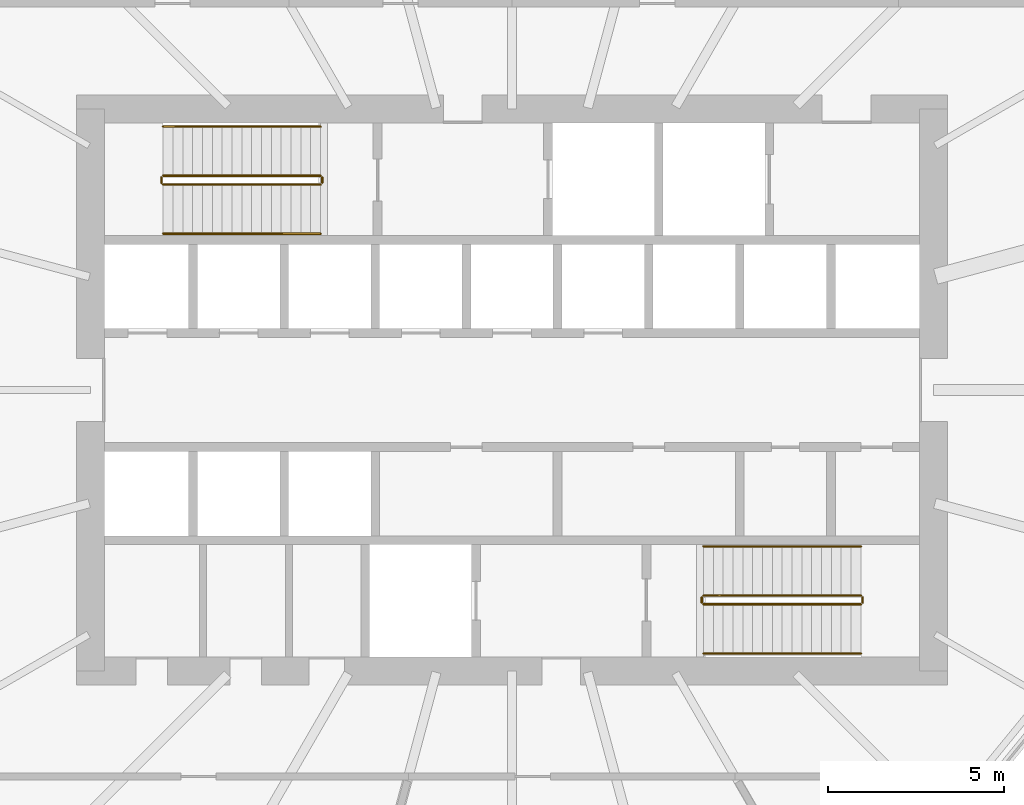
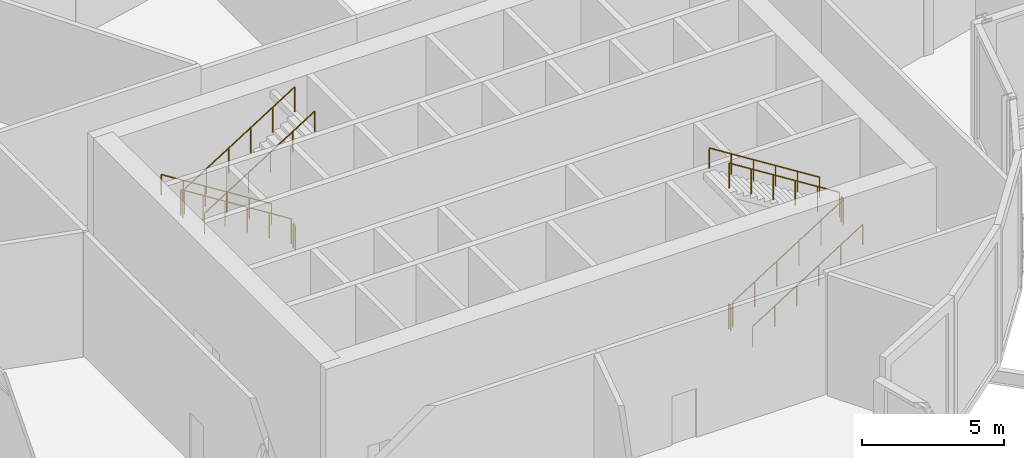
# One storey, part 33 of 33: 12 railings.
"""IFC4 building model written with IfcOpenShell, lengths in metres."""

import ifcopenshell
import ifcopenshell.guid

model = None  # the IFC model being written
_history = None  # IfcOwnerHistory: only IFC2X3 demands one
_inside = {}  # id of a spatial element -> (the spatial element, [elements in it])
_under = {}  # id of a project, library or spatial element -> (it, [spatial elements below it])
_declared = {}  # id of a project -> (the project, [libraries it declares])
_typed = {}  # id of a type object -> (the type object, [elements of that type])
_made_of = {}  # id of a material, layer set ... -> (it, [elements and type objects made of it])


def new_model(schema):
    """Start an empty IFC model of exactly this schema.

    Asked for "IFC4X3", IfcOpenShell would pick the latest addendum, in which some entities
    have other attributes; the version numbers below select the first issue.
    IFC2X3 requires an IfcOwnerHistory on every rooted entity: one is made here for all.
    """
    global model, _history
    if schema == "IFC4X3":
        model = ifcopenshell.file(schema_version=(4, 3, 0, 0))
    else:
        model = ifcopenshell.file(schema=schema)
    _inside.clear()
    _under.clear()
    _declared.clear()
    _typed.clear()
    _made_of.clear()
    _history = None
    if model.schema == "IFC2X3":
        org = make("IfcOrganization", Name="unknown")
        user = make(
            "IfcPersonAndOrganization",
            ThePerson=make("IfcPerson", FamilyName="unknown"),
            TheOrganization=org,
        )
        app = make(
            "IfcApplication",
            ApplicationDeveloper=org,
            Version="unknown",
            ApplicationFullName="unknown",
            ApplicationIdentifier="unknown",
        )
        _history = make(
            "IfcOwnerHistory",
            OwningUser=user,
            OwningApplication=app,
            ChangeAction="ADDED",
            CreationDate=0,
        )
    return model


def make(cls, **values):
    """One entity of the class cls with the attributes given. An attribute that is None is left unset."""
    return model.create_entity(
        cls, **{name: value for name, value in values.items() if value is not None}
    )


def rooted(cls, **values):
    """An entity with a GlobalId (a new one), such as an element, a storey or a relation."""
    return make(cls, GlobalId=ifcopenshell.guid.new(), OwnerHistory=_history, **values)


def si_unit(unit_type, name, prefix=None):
    """IfcSIUnit, for example si_unit("LENGTHUNIT", "METRE", prefix="MILLI")."""
    return make("IfcSIUnit", UnitType=unit_type, Prefix=prefix, Name=name)


def assignment(units):
    """IfcUnitAssignment: the units of a project."""
    return None if units is None else make("IfcUnitAssignment", Units=units)


def point(xyz):
    """IfcCartesianPoint."""
    return None if xyz is None else make("IfcCartesianPoint", Coordinates=xyz)


def direction(xyz):
    """IfcDirection."""
    return None if xyz is None else make("IfcDirection", DirectionRatios=xyz)


def frame(location, z_axis=None, x_axis=None):
    """IfcAxis2Placement3D, a coordinate frame: its origin and axes. An axis left out is left unset."""
    return make(
        "IfcAxis2Placement3D",
        Location=point(location),
        Axis=direction(z_axis),
        RefDirection=direction(x_axis),
    )


def frame_2d(location, x_axis=None):
    """IfcAxis2Placement2D, a coordinate frame in the plane: its origin and x axis."""
    return make(
        "IfcAxis2Placement2D", Location=point(location), RefDirection=direction(x_axis)
    )


def origin():
    """The frame at (0, 0, 0) with its axes left unset."""
    return frame((0.0, 0.0, 0.0))


def origin_2d():
    """The frame at (0, 0) in the plane with its x axis left unset."""
    return frame_2d((0.0, 0.0))


def place(relative_to, where):
    """IfcLocalPlacement: puts the frame where relative to a parent placement (None: the world)."""
    return make(
        "IfcLocalPlacement", PlacementRelTo=relative_to, RelativePlacement=where
    )


def context(
    kind, dimensions, precision=None, world=None, true_north=None, identifier=None
):
    """IfcGeometricRepresentationContext, for example the 3D "Model" context."""
    return make(
        "IfcGeometricRepresentationContext",
        ContextIdentifier=identifier,
        ContextType=kind,
        CoordinateSpaceDimension=dimensions,
        Precision=precision,
        WorldCoordinateSystem=world,
        TrueNorth=true_north,
    )


def subcontext(parent, identifier, kind, view, scale=None):
    """IfcGeometricRepresentationSubContext, for example "Body" below "Model"."""
    return make(
        "IfcGeometricRepresentationSubContext",
        ContextIdentifier=identifier,
        ContextType=kind,
        ParentContext=parent,
        TargetScale=scale,
        TargetView=view,
    )


def project(units=None, contexts=None):
    """IfcProject with its units and contexts."""
    return rooted(
        "IfcProject",
        Name="project",
        RepresentationContexts=contexts,
        UnitsInContext=assignment(units),
    )


def spatial(cls, under=None, at=None, **own):
    """A site, building, storey or space (cls), placed at a placement, below another one or the project."""
    s = rooted(cls, ObjectPlacement=at, **own)
    if under is not None:
        _under.setdefault(under.id(), (under, []))[1].append(s)
    return s


def profile(cls, at=None, kind="AREA", **sizes):
    """A parametric profile (cls). Its sizes go by their IFC names, for example OverallWidth=200.0."""
    return make(cls, ProfileType=kind, Position=at, **sizes)


def circle(**sizes):
    """IfcCircleProfileDef."""
    return profile("IfcCircleProfileDef", **sizes)


def extrude(swept, where, along, depth):
    """IfcExtrudedAreaSolid: the profile swept, set in the frame where, extruded along a direction by depth."""
    return make(
        "IfcExtrudedAreaSolid",
        SweptArea=swept,
        Position=where,
        ExtrudedDirection=direction(along),
        Depth=depth,
    )


def shape(context_of_items, identifier, shape_type, items):
    """IfcShapeRepresentation: the items that make up one representation, for example the "Body"."""
    return make(
        "IfcShapeRepresentation",
        ContextOfItems=context_of_items,
        RepresentationIdentifier=identifier,
        RepresentationType=shape_type,
        Items=items,
    )


def material(Name=None, Category=None):
    """IfcMaterial."""
    return make("IfcMaterial", Name=Name, Category=Category)


def made_of(thing, what):
    """Note that an element or type object is made of a material, layer set ...; save() writes the relation."""
    if what is not None:
        _made_of.setdefault(what.id(), (what, []))[1].append(thing)
    return thing


def type_object(cls, material=None, **own):
    """A type object (cls), such as IfcWallType, which elements share."""
    return made_of(rooted(cls, **own), material)


def element(
    cls,
    number,
    at=None,
    inside=None,
    cuts=None,
    type_object=None,
    material=None,
    context=None,
    identifier="Body",
    shape_type=None,
    held_by="IfcProductDefinitionShape",
    body=None,
    shapes=None,
    **own,
):
    """One element of the class cls, such as IfcWall. Its Tag is "e" and its number.

    at: its placement. inside: the storey or other place that contains it. cuts: it is an
    opening in that element (IfcRelVoidsElement). A single representation is given by context,
    identifier, shape_type and body (its items); several are given by shapes. held_by: the class
    of the entity that holds the representations. save() writes the other relations.
    """
    e = rooted(cls, Tag="e%d" % number, ObjectPlacement=at, **own)
    if body is not None:
        shapes = [shape(context, identifier, shape_type, body)]
    if shapes is not None:
        e.Representation = make(held_by, Representations=shapes)
    if inside is not None:
        _inside.setdefault(inside.id(), (inside, []))[1].append(e)
    if cuts is not None:
        rooted(
            "IfcRelVoidsElement", RelatingBuildingElement=cuts, RelatedOpeningElement=e
        )
    if type_object is not None:
        _typed.setdefault(type_object.id(), (type_object, []))[1].append(e)
    return made_of(e, material)


def aggregate(whole, parts):
    """IfcRelAggregates: a whole, such as a stair, and the parts it consists of."""
    return rooted("IfcRelAggregates", RelatingObject=whole, RelatedObjects=parts)


def save(model, path):
    """Write the relations noted so far, then the file.

    IfcRelAggregates (storeys below a building ...), IfcRelContainedInSpatialStructure (elements
    in a storey), IfcRelDefinesByType, IfcRelAssociatesMaterial and IfcRelDeclares: one each for
    every whole, place, type object, material and project.
    """
    for whole, parts in _under.values():
        aggregate(whole, parts)
    for where, things in _inside.values():
        rooted(
            "IfcRelContainedInSpatialStructure",
            RelatedElements=things,
            RelatingStructure=where,
        )
    for kind, things in _typed.values():
        rooted("IfcRelDefinesByType", RelatedObjects=things, RelatingType=kind)
    for what, things in _made_of.values():
        rooted("IfcRelAssociatesMaterial", RelatedObjects=things, RelatingMaterial=what)
    for by, libraries in _declared.values():
        rooted("IfcRelDeclares", RelatingContext=by, RelatedDefinitions=libraries)
    model.write(path)


model = new_model("IFC4")

# Units and contexts
model_context = context("Model", 3, precision=1e-05, world=origin(), true_north=direction((0.0, 1.0)))
body_context = subcontext(model_context, "Body", "Model", "MODEL_VIEW")
ifc_project = project(units=[si_unit("LENGTHUNIT", "METRE"), si_unit("AREAUNIT", "SQUARE_METRE"), si_unit("VOLUMEUNIT", "CUBIC_METRE"), si_unit("PLANEANGLEUNIT", "RADIAN"), si_unit("MASSUNIT", "GRAM", prefix="KILO")], contexts=[model_context])

# Site, building, storey
site_placement = place(None, origin())
site = spatial("IfcSite", under=ifc_project, at=site_placement, CompositionType="ELEMENT")
building_placement = place(site_placement, origin())
building = spatial("IfcBuilding", under=site, at=building_placement, Name="Rimbun Link Towers", CompositionType="ELEMENT")
storey_placement = place(building_placement, frame((0.0, 0.0, 75.60009765625)))
storey = spatial("IfcBuildingStorey", under=building, at=storey_placement, Name="L18", CompositionType="ELEMENT", Elevation=75.60009765625)

# Railings
ifc_material_1 = material(Name="Stainless steel grade 316", Category="steel")
railing_type_1 = type_object("IfcRailingType", Name="Stair guard", PredefinedType="GUARDRAIL", material=ifc_material_1)
railing_1_placement = place(storey_placement, frame((26.300048828125, 6.10009765625, 0.17626953125)))
element("IfcRailing", 1, at=railing_1_placement, inside=storey, type_object=railing_type_1, Name="L18 ST3 stair guard 1", PredefinedType="GUARDRAIL", context=body_context, shape_type="SweptSolid", body=[
    extrude(circle(Radius=0.02392578125, at=origin_2d()), frame((0.0, 0.0, 1.076171875), z_axis=(-0.845977142166, 0.0, 0.533219162196), x_axis=(0.0, -1.0, 0.0)), (0.0, 0.0, 1.0), 5.295654296875),
    extrude(circle(Radius=0.02099609375, at=origin_2d()), origin(), (0.0, 0.0, 1.0), 1.052001953125),
    extrude(circle(Radius=0.02099609375, at=origin_2d()), frame((-0.89599609375, 0.0, 0.564697265625)), (0.0, 0.0, 1.0), 1.052001953125),
    extrude(circle(Radius=0.02099609375, at=origin_2d()), frame((-1.7919921875, 0.0, 1.12939453125)), (0.0, 0.0, 1.0), 1.052001953125),
    extrude(circle(Radius=0.02099609375, at=origin_2d()), frame((-2.68798828125, 0.0, 1.6943359375)), (0.0, 0.0, 1.0), 1.052001953125),
    extrude(circle(Radius=0.02099609375, at=origin_2d()), frame((-3.583984375, 0.0, 2.259033203125)), (0.0, 0.0, 1.0), 1.052001953125),
    extrude(circle(Radius=0.02099609375, at=origin_2d()), frame((-4.47998046875, 0.0, 2.82373046875)), (0.0, 0.0, 1.0), 1.052001953125),
])
railing_2_placement = place(storey_placement, frame((21.77001953125, 6.050048828125, 3.0)))
element("IfcRailing", 2, at=railing_2_placement, inside=storey, type_object=railing_type_1, Name="L18 ST3 stair guard 2", PredefinedType="GUARDRAIL", context=body_context, shape_type="SweptSolid", body=[
    extrude(circle(Radius=0.02392578125, at=origin_2d()), frame((0.0, 0.0, 1.076171875), z_axis=(0.0, -1.0, 0.0), x_axis=(1.0, 0.0, 0.0)), (0.0, 0.0, 1.0), 0.150146484375),
    extrude(circle(Radius=0.02099609375, at=origin_2d()), origin(), (0.0, 0.0, 1.0), 1.052001953125),
    extrude(circle(Radius=0.02099609375, at=origin_2d()), frame((0.0, -0.150146484375, 0.0)), (0.0, 0.0, 1.0), 1.052001953125),
])
railing_3_placement = place(storey_placement, frame((21.820068359375, 5.85009765625, 3.17626953125)))
element("IfcRailing", 3, at=railing_3_placement, inside=storey, type_object=railing_type_1, Name="L18 ST3 stair guard 3", PredefinedType="GUARDRAIL", context=body_context, shape_type="SweptSolid", body=[
    extrude(circle(Radius=0.02392578125, at=origin_2d()), frame((0.0, 0.0, 1.076171875), z_axis=(0.845977142166, 0.0, 0.533219162196), x_axis=(0.0, 1.0, 0.0)), (0.0, 0.0, 1.0), 5.295654296875),
    extrude(circle(Radius=0.02099609375, at=origin_2d()), origin(), (0.0, 0.0, 1.0), 1.052001953125),
    extrude(circle(Radius=0.02099609375, at=origin_2d()), frame((0.89599609375, 0.0, 0.564697265625)), (0.0, 0.0, 1.0), 1.052001953125),
    extrude(circle(Radius=0.02099609375, at=origin_2d()), frame((1.7919921875, 0.0, 1.12939453125)), (0.0, 0.0, 1.0), 1.052001953125),
    extrude(circle(Radius=0.02099609375, at=origin_2d()), frame((2.68798828125, 0.0, 1.6943359375)), (0.0, 0.0, 1.0), 1.052001953125),
    extrude(circle(Radius=0.02099609375, at=origin_2d()), frame((3.583984375, 0.0, 2.259033203125)), (0.0, 0.0, 1.0), 1.052001953125),
    extrude(circle(Radius=0.02099609375, at=origin_2d()), frame((4.47998046875, 0.0, 2.82373046875)), (0.0, 0.0, 1.0), 1.052001953125),
])
railing_4_placement = place(storey_placement, frame((26.35009765625, 6.050048828125, 0.0)))
element("IfcRailing", 4, at=railing_4_placement, inside=storey, type_object=railing_type_1, Name="L18 ST3 stair guard 4", PredefinedType="GUARDRAIL", context=body_context, shape_type="SweptSolid", body=[
    extrude(circle(Radius=0.02392578125, at=origin_2d()), frame((0.0, 0.0, 1.076171875), z_axis=(0.0, -1.0, 0.0), x_axis=(1.0, 0.0, 0.0)), (0.0, 0.0, 1.0), 0.150146484375),
    extrude(circle(Radius=0.02099609375, at=origin_2d()), origin(), (0.0, 0.0, 1.0), 1.052001953125),
    extrude(circle(Radius=0.02099609375, at=origin_2d()), frame((0.0, -0.150146484375, 0.0)), (0.0, 0.0, 1.0), 1.052001953125),
])
railing_5_placement = place(storey_placement, frame((37.199951171875, -6.10009765625, 0.17626953125)))
element("IfcRailing", 5, at=railing_5_placement, inside=storey, type_object=railing_type_1, Name="L18 ST4 stair guard 1", PredefinedType="GUARDRAIL", context=body_context, shape_type="SweptSolid", body=[
    extrude(circle(Radius=0.02392578125, at=origin_2d()), frame((0.0, 0.0, 1.076171875), z_axis=(0.845977142166, 0.0, 0.533219162196), x_axis=(0.0, 1.0, 0.0)), (0.0, 0.0, 1.0), 5.295654296875),
    extrude(circle(Radius=0.02099609375, at=origin_2d()), origin(), (0.0, 0.0, 1.0), 1.052001953125),
    extrude(circle(Radius=0.02099609375, at=origin_2d()), frame((0.89599609375, 0.0, 0.564697265625)), (0.0, 0.0, 1.0), 1.052001953125),
    extrude(circle(Radius=0.02099609375, at=origin_2d()), frame((1.7919921875, 0.0, 1.12939453125)), (0.0, 0.0, 1.0), 1.052001953125),
    extrude(circle(Radius=0.02099609375, at=origin_2d()), frame((2.68798828125, 0.0, 1.6943359375)), (0.0, 0.0, 1.0), 1.052001953125),
    extrude(circle(Radius=0.02099609375, at=origin_2d()), frame((3.583984375, 0.0, 2.259033203125)), (0.0, 0.0, 1.0), 1.052001953125),
    extrude(circle(Radius=0.02099609375, at=origin_2d()), frame((4.47998046875, 0.0, 2.82373046875)), (0.0, 0.0, 1.0), 1.052001953125),
])
railing_6_placement = place(storey_placement, frame((41.72998046875, -6.050048828125, 3.0)))
element("IfcRailing", 6, at=railing_6_placement, inside=storey, type_object=railing_type_1, Name="L18 ST4 stair guard 2", PredefinedType="GUARDRAIL", context=body_context, shape_type="SweptSolid", body=[
    extrude(circle(Radius=0.02392578125, at=origin_2d()), frame((0.0, 0.0, 1.076171875), z_axis=(0.0, 1.0, 0.0), x_axis=(-1.0, 0.0, 0.0)), (0.0, 0.0, 1.0), 0.150146484375),
    extrude(circle(Radius=0.02099609375, at=origin_2d()), origin(), (0.0, 0.0, 1.0), 1.052001953125),
    extrude(circle(Radius=0.02099609375, at=origin_2d()), frame((0.0, 0.150146484375, 0.0)), (0.0, 0.0, 1.0), 1.052001953125),
])
railing_7_placement = place(storey_placement, frame((41.679931640625, -5.85009765625, 3.17626953125)))
element("IfcRailing", 7, at=railing_7_placement, inside=storey, type_object=railing_type_1, Name="L18 ST4 stair guard 3", PredefinedType="GUARDRAIL", context=body_context, shape_type="SweptSolid", body=[
    extrude(circle(Radius=0.02392578125, at=origin_2d()), frame((0.0, 0.0, 1.076171875), z_axis=(-0.845977142166, 0.0, 0.533219162196), x_axis=(0.0, -1.0, 0.0)), (0.0, 0.0, 1.0), 5.295654296875),
    extrude(circle(Radius=0.02099609375, at=origin_2d()), origin(), (0.0, 0.0, 1.0), 1.052001953125),
    extrude(circle(Radius=0.02099609375, at=origin_2d()), frame((-0.89599609375, 0.0, 0.564697265625)), (0.0, 0.0, 1.0), 1.052001953125),
    extrude(circle(Radius=0.02099609375, at=origin_2d()), frame((-1.7919921875, 0.0, 1.12939453125)), (0.0, 0.0, 1.0), 1.052001953125),
    extrude(circle(Radius=0.02099609375, at=origin_2d()), frame((-2.68798828125, 0.0, 1.6943359375)), (0.0, 0.0, 1.0), 1.052001953125),
    extrude(circle(Radius=0.02099609375, at=origin_2d()), frame((-3.583984375, 0.0, 2.259033203125)), (0.0, 0.0, 1.0), 1.052001953125),
    extrude(circle(Radius=0.02099609375, at=origin_2d()), frame((-4.47998046875, 0.0, 2.82373046875)), (0.0, 0.0, 1.0), 1.052001953125),
])
railing_8_placement = place(storey_placement, frame((37.14990234375, -6.050048828125, 0.0)))
element("IfcRailing", 8, at=railing_8_placement, inside=storey, type_object=railing_type_1, Name="L18 ST4 stair guard 4", PredefinedType="GUARDRAIL", context=body_context, shape_type="SweptSolid", body=[
    extrude(circle(Radius=0.02392578125, at=origin_2d()), frame((0.0, 0.0, 1.076171875), z_axis=(0.0, 1.0, 0.0), x_axis=(-1.0, 0.0, 0.0)), (0.0, 0.0, 1.0), 0.150146484375),
    extrude(circle(Radius=0.02099609375, at=origin_2d()), origin(), (0.0, 0.0, 1.0), 1.052001953125),
    extrude(circle(Radius=0.02099609375, at=origin_2d()), frame((0.0, 0.150146484375, 0.0)), (0.0, 0.0, 1.0), 1.052001953125),
])
ifc_material_2 = material(Name="Stainless steel grade 316", Category="steel")
railing_type_2 = type_object("IfcRailingType", Name="Stair handrail", PredefinedType="HANDRAIL", material=ifc_material_2)
railing_9_placement = place(storey_placement, frame((26.300048828125, 7.5, 0.17626953125)))
element("IfcRailing", 9, at=railing_9_placement, inside=storey, type_object=railing_type_2, Name="L18 ST3 stair handrail 1", PredefinedType="HANDRAIL", context=body_context, shape_type="SweptSolid", body=[
    extrude(circle(Radius=0.02392578125, at=origin_2d()), frame((0.0, 0.0, 0.8759765625), z_axis=(-0.845977142166, 0.0, 0.533219162196), x_axis=(0.0, -1.0, 0.0)), (0.0, 0.0, 1.0), 5.295654296875),
    extrude(circle(Radius=0.02099609375, at=origin_2d()), origin(), (0.0, 0.0, 1.0), 0.851806640625),
    extrude(circle(Radius=0.02099609375, at=origin_2d()), frame((-0.89599609375, 0.0, 0.564697265625)), (0.0, 0.0, 1.0), 0.851806640625),
    extrude(circle(Radius=0.02099609375, at=origin_2d()), frame((-1.7919921875, 0.0, 1.12939453125)), (0.0, 0.0, 1.0), 0.851806640625),
    extrude(circle(Radius=0.02099609375, at=origin_2d()), frame((-2.68798828125, 0.0, 1.6943359375)), (0.0, 0.0, 1.0), 0.851806640625),
    extrude(circle(Radius=0.02099609375, at=origin_2d()), frame((-3.583984375, 0.0, 2.259033203125)), (0.0, 0.0, 1.0), 0.851806640625),
    extrude(circle(Radius=0.02099609375, at=origin_2d()), frame((-4.47998046875, 0.0, 2.82373046875)), (0.0, 0.0, 1.0), 0.851806640625),
])
for number, where, name in (
    (10, (21.820068359375, 4.449951171875, 3.17626953125), "L18 ST3 stair handrail 2"),
    (11, (37.199951171875, -7.5, 0.17626953125), "L18 ST4 stair handrail 1"),
):
    element("IfcRailing", number, at=place(storey_placement, frame(where)), inside=storey, type_object=railing_type_2, Name=name, PredefinedType="HANDRAIL", context=body_context, shape_type="SweptSolid", body=[
        extrude(circle(Radius=0.02392578125, at=origin_2d()), frame((0.0, 0.0, 0.8759765625), z_axis=(0.845977142166, 0.0, 0.533219162196), x_axis=(0.0, 1.0, 0.0)), (0.0, 0.0, 1.0), 5.295654296875),
        extrude(circle(Radius=0.02099609375, at=origin_2d()), origin(), (0.0, 0.0, 1.0), 0.851806640625),
        extrude(circle(Radius=0.02099609375, at=origin_2d()), frame((0.89599609375, 0.0, 0.564697265625)), (0.0, 0.0, 1.0), 0.851806640625),
        extrude(circle(Radius=0.02099609375, at=origin_2d()), frame((1.7919921875, 0.0, 1.12939453125)), (0.0, 0.0, 1.0), 0.851806640625),
        extrude(circle(Radius=0.02099609375, at=origin_2d()), frame((2.68798828125, 0.0, 1.6943359375)), (0.0, 0.0, 1.0), 0.851806640625),
        extrude(circle(Radius=0.02099609375, at=origin_2d()), frame((3.583984375, 0.0, 2.259033203125)), (0.0, 0.0, 1.0), 0.851806640625),
        extrude(circle(Radius=0.02099609375, at=origin_2d()), frame((4.47998046875, 0.0, 2.82373046875)), (0.0, 0.0, 1.0), 0.851806640625),
    ])
railing_10_placement = place(storey_placement, frame((41.679931640625, -4.449951171875, 3.17626953125)))
element("IfcRailing", 12, at=railing_10_placement, inside=storey, type_object=railing_type_2, Name="L18 ST4 stair handrail 2", PredefinedType="HANDRAIL", context=body_context, shape_type="SweptSolid", body=[
    extrude(circle(Radius=0.02392578125, at=origin_2d()), frame((0.0, 0.0, 0.8759765625), z_axis=(-0.845977142166, 0.0, 0.533219162196), x_axis=(0.0, -1.0, 0.0)), (0.0, 0.0, 1.0), 5.295654296875),
    extrude(circle(Radius=0.02099609375, at=origin_2d()), origin(), (0.0, 0.0, 1.0), 0.851806640625),
    extrude(circle(Radius=0.02099609375, at=origin_2d()), frame((-0.89599609375, 0.0, 0.564697265625)), (0.0, 0.0, 1.0), 0.851806640625),
    extrude(circle(Radius=0.02099609375, at=origin_2d()), frame((-1.7919921875, 0.0, 1.12939453125)), (0.0, 0.0, 1.0), 0.851806640625),
    extrude(circle(Radius=0.02099609375, at=origin_2d()), frame((-2.68798828125, 0.0, 1.6943359375)), (0.0, 0.0, 1.0), 0.851806640625),
    extrude(circle(Radius=0.02099609375, at=origin_2d()), frame((-3.583984375, 0.0, 2.259033203125)), (0.0, 0.0, 1.0), 0.851806640625),
    extrude(circle(Radius=0.02099609375, at=origin_2d()), frame((-4.47998046875, 0.0, 2.82373046875)), (0.0, 0.0, 1.0), 0.851806640625),
])

save(model, "model.ifc")
